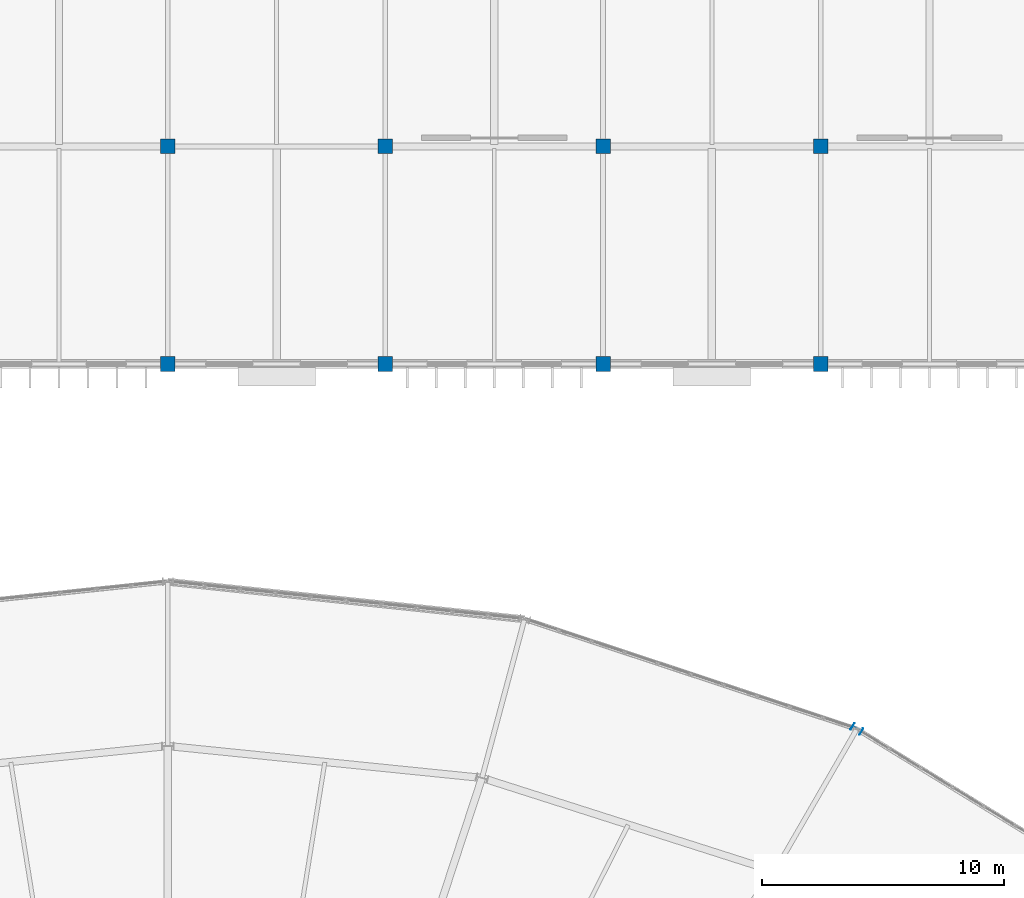
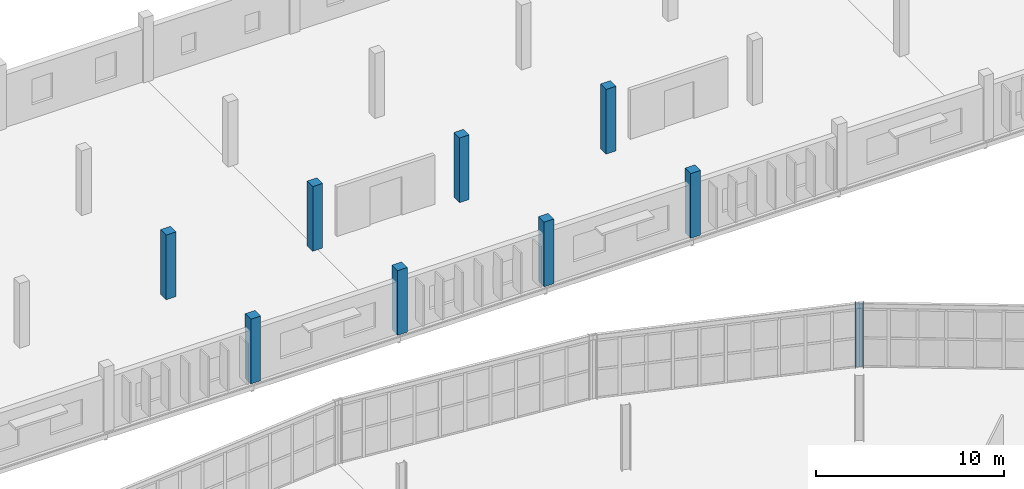
# One storey, part 31 of 161: 9 columns.
"""IFC4 building model written with IfcOpenShell, lengths in metres."""

from ifc_helpers import new_model, si_unit, direction, frame, origin, origin_2d, place, context, subcontext, project, spatial, rectangle, i_section, extrude, material, material_profile, profile_set, type_object, element, save


model = new_model("IFC4")

# Units and contexts
model_context = context("Model", 3, precision=1e-05, world=origin(), true_north=direction((0.0, 1.0)))
body_context = subcontext(model_context, "Body", "Model", "MODEL_VIEW")
ifc_project = project(units=[si_unit("LENGTHUNIT", "METRE"), si_unit("AREAUNIT", "SQUARE_METRE"), si_unit("VOLUMEUNIT", "CUBIC_METRE"), si_unit("PLANEANGLEUNIT", "RADIAN"), si_unit("MASSUNIT", "GRAM", prefix="KILO")], contexts=[model_context])

# Site, building, storey
site_placement = place(None, origin())
site = spatial("IfcSite", under=ifc_project, at=site_placement, CompositionType="ELEMENT")
building_placement = place(site_placement, origin())
building = spatial("IfcBuilding", under=site, at=building_placement, Name="Kildeholm Park Wholesale Market", CompositionType="ELEMENT")
storey_placement = place(building_placement, frame((0.0, 0.0, 5.39990234375)))
storey = spatial("IfcBuildingStorey", under=building, at=storey_placement, Name="L01", CompositionType="ELEMENT", Elevation=5.39990234375)

# Columns
ifc_material_1 = material(Name="Concrete C40/50", Category="concrete")
ifc_material_profile_1 = material_profile(ifc_material_1, rectangle(XDim=0.60009765625, YDim=0.60009765625, at=origin_2d()), Name="RC 600x600")
ifc_profile_set_1 = profile_set([ifc_material_profile_1], Name="Concrete C40/50")
column_type_1 = type_object("IfcColumnType", Name="Column C-R02 RC 600x600", PredefinedType="COLUMN", material=ifc_profile_set_1)
for number, where, z_axis, x_axis, name in (
    (1, (99.0, 144.0, 0.0), (0.0, 0.0, 1.0), (1.0, 0.0, 0.0), "Column V4-099-144 L01 COL-0531"),
    (2, (99.0, 153.0, 0.0), (0.0, 0.0, 1.0), (1.0, 0.0, 0.0), "Column V4-099-153 L01 COL-0533"),
    (3, (108.0, 144.0, 0.0), (0.0, 0.0, 1.0), (1.0, 0.0, 0.0), "Column V4-108-144 L01 COL-0542"),
    (4, (108.0, 153.0, 0.0), (0.0, 0.0, 1.0), (1.0, 0.0, 0.0), "Column V4-108-153 L01 COL-0544"),
    (5, (117.0, 144.0, 0.0), (0.0, 0.0, 1.0), (1.0, 0.0, 0.0), "Column V4-117-144 L01 COL-0553"),
    (6, (117.0, 153.0, 0.0), (0.0, 0.0, 1.0), (1.0, 0.0, 0.0), "Column V4-117-153 L01 COL-0555"),
    (7, (126.0, 144.0, 0.0), (0.0, 0.0, 1.0), (1.0, 0.0, 0.0), "Column V4-126-144 L01 COL-0564"),
    (8, (126.0, 153.0, 0.0), (0.0, 0.0, 1.0), (1.0, 0.0, 0.0), "Column V4-126-153 L01 COL-0566"),
):
    element("IfcColumn", number, at=place(storey_placement, frame(where, z_axis=z_axis, x_axis=x_axis)), inside=storey, type_object=column_type_1, Name=name, PredefinedType="COLUMN", context=body_context, shape_type="SweptSolid", body=[
        extrude(rectangle(XDim=0.60009765625, YDim=0.60009765625, at=origin_2d()), origin(), (0.0, 0.0, 1.0), 4.2001953125),
    ])
ifc_material_2 = material(Name="Steel S355", Category="steel")
ifc_material_profile_2 = material_profile(ifc_material_2, i_section(OverallWidth=0.300048828125, OverallDepth=0.449951171875, WebThickness=0.013916015625, FlangeThickness=0.02587890625, FilletRadius=0.027099609375, at=origin_2d()), Name="HEB 450")
ifc_profile_set_2 = profile_set([ifc_material_profile_2], Name="Steel S355")
column_type_2 = type_object("IfcColumnType", Name="Column C-S06 HEB 450", PredefinedType="COLUMN", material=ifc_profile_set_2)
column_placement = place(storey_placement, frame((127.5, 128.904052734375, 0.0), z_axis=(0.0, 0.0, 1.0), x_axis=(0.5, 0.866025403784, 0.0)))
element("IfcColumn", 9, at=column_placement, inside=storey, type_object=column_type_2, Name="Column V1-OT-04 L01 COL-0044", PredefinedType="COLUMN", context=body_context, shape_type="SweptSolid", body=[
    extrude(i_section(OverallWidth=0.300048828125, OverallDepth=0.449951171875, WebThickness=0.013916015625, FlangeThickness=0.02587890625, FilletRadius=0.027099609375, at=origin_2d()), origin(), (0.0, 0.0, 1.0), 4.18017578125),
])

save(model, "model.ifc")
